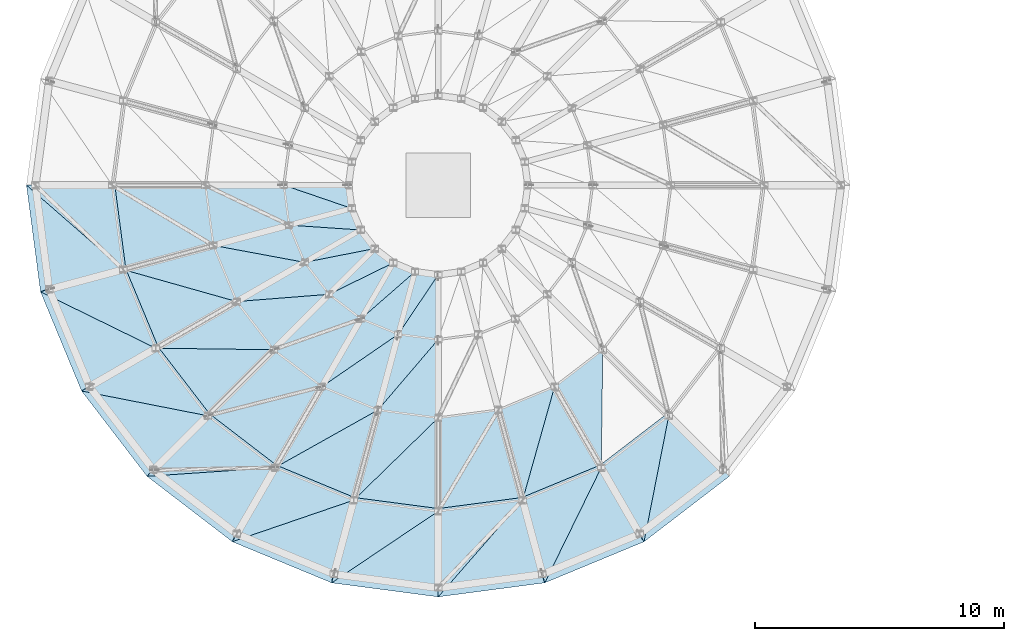
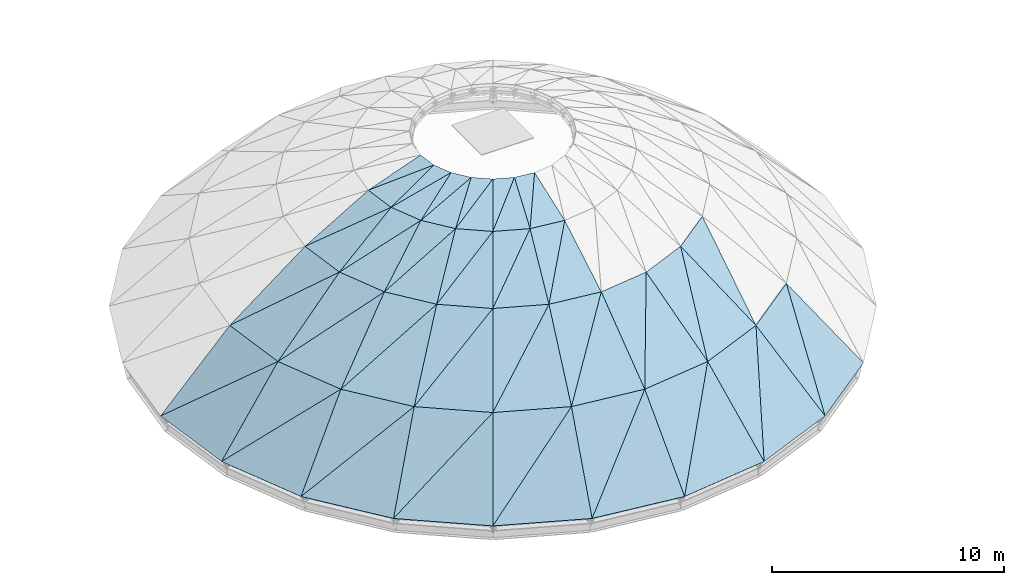
# One storey, part 10 of 19: 59 slabs.
"""IFC4 building model written with IfcOpenShell, lengths in metres."""

from ifc_helpers import new_model, si_unit, direction, frame, origin, place, context, subcontext, project, spatial, polyline, outline, extrude, material, layer, layer_set, type_object, element, save


model = new_model("IFC4")

# Units and contexts
model_context = context("Model", 3, precision=1e-05, world=origin(), true_north=direction((0.0, 1.0)))
body_context = subcontext(model_context, "Body", "Model", "MODEL_VIEW")
ifc_project = project(units=[si_unit("LENGTHUNIT", "METRE"), si_unit("AREAUNIT", "SQUARE_METRE"), si_unit("VOLUMEUNIT", "CUBIC_METRE"), si_unit("PLANEANGLEUNIT", "RADIAN"), si_unit("MASSUNIT", "GRAM", prefix="KILO")], contexts=[model_context])

# Site, building, storey
site_placement = place(None, origin())
site = spatial("IfcSite", under=ifc_project, at=site_placement, CompositionType="ELEMENT")
building_placement = place(site_placement, origin())
building = spatial("IfcBuilding", under=site, at=building_placement, Name="Montecoro Central Library", CompositionType="ELEMENT")
storey_placement = place(building_placement, frame((0.0, 0.0, 25.5)))
storey = spatial("IfcBuildingStorey", under=building, at=storey_placement, Name="ROOF", CompositionType="ELEMENT", Elevation=25.5)

# Slabs
ifc_material = material(Name="Concrete C32/40", Category="concrete")
ifc_layer = layer(ifc_material, 0.14990234375)
ifc_layer_set = layer_set([ifc_layer], Name="Concrete C32/40")
slab_type = type_object("IfcSlabType", Name="SL-DOME-150", PredefinedType="ROOF", material=ifc_layer_set)
slab_1_placement = place(storey_placement, frame((75.06005859375, 35.39990234375, -7.77001953125), z_axis=(-0.715994417738, -0.094322617906, 0.691704588332), x_axis=(0.130608081992, -0.99143407694, 0.0)))
element("IfcSlab", 1, at=slab_1_placement, inside=storey, type_object=slab_type, Name="V1-DOME-GORE-S1-13A", PredefinedType="ROOF", context=body_context, shape_type="SweptSolid", body=[
    extrude(outline(polyline([(0.0, 0.0), (4.317993459118372, 0.0), (3.8693644374247125, 4.929596262630795), (0.0, 0.0)])), origin(), (0.0, 0.0, -1.0), 0.14990234375),
])
slab_2_placement = place(storey_placement, frame((75.06005859375, 35.39990234375, -7.77001953125), z_axis=(-0.715938390418, -0.094176646216, 0.691782466122), x_axis=(0.620090074549, -0.541083812616, 0.568081514548)))
element("IfcSlab", 2, at=slab_2_placement, inside=storey, type_object=slab_type, Name="V1-DOME-GORE-S1-13B", PredefinedType="ROOF", context=body_context, shape_type="SweptSolid", body=[
    extrude(outline(polyline([(0.0, 0.0), (6.26680943241061, -2.220446049250313e-16), (4.155477000862716, 2.690580785753787), (0.0, 0.0)])), origin(), (0.0, 0.0, -1.0), 0.14990234375),
])
slab_3_placement = place(storey_placement, frame((75.6240234375, 31.118896484375, -7.77001953125), z_axis=(-0.667171515281, -0.276276545223, 0.691775570368), x_axis=(0.382594844115, -0.92391622199, 0.0)))
element("IfcSlab", 3, at=slab_3_placement, inside=storey, type_object=slab_type, Name="V1-DOME-GORE-S1-14A", PredefinedType="ROOF", context=body_context, shape_type="SweptSolid", body=[
    extrude(outline(polyline([(0.0, 0.0), (4.317505826752867, 0.0), (3.8679229624318126, 4.930060427738457), (0.0, 0.0)])), origin(), (0.0, 0.0, -1.0), 0.14990234375),
])
slab_4_placement = place(storey_placement, frame((75.6240234375, 31.118896484375, -7.77001953125), z_axis=(-0.667188175042, -0.276435258242, 0.691696094455), x_axis=(0.739011966619, -0.362064435143, 0.568129085683)))
element("IfcSlab", 4, at=slab_4_placement, inside=storey, type_object=slab_type, Name="V1-DOME-GORE-S1-14B", PredefinedType="ROOF", context=body_context, shape_type="SweptSolid", body=[
    extrude(outline(polyline([(0.0, 0.0), (6.266284693856479, 0.0), (4.155299615888781, 2.689920521845184), (0.0, 0.0)])), origin(), (0.0, 0.0, -1.0), 0.14990234375),
])
slab_5_placement = place(storey_placement, frame((77.27587890625, 27.1298828125, -7.77001953125), z_axis=(-0.572883227212, -0.439501706167, 0.691840341593), x_axis=(0.608685540582, -0.793411565763, 0.0)))
element("IfcSlab", 5, at=slab_5_placement, inside=storey, type_object=slab_type, Name="V1-DOME-GORE-S1-15A", PredefinedType="ROOF", context=body_context, shape_type="SweptSolid", body=[
    extrude(outline(polyline([(0.0, 0.0), (4.317785872839548, 0.0), (3.8683730698769403, 4.9304841351776805), (0.0, 0.0)])), origin(), (0.0, 0.0, -1.0), 0.14990234375),
])
slab_6_placement = place(storey_placement, frame((77.27587890625, 27.1298828125, -7.77001953125), z_axis=(-0.572865865957, -0.439611275522, 0.691785101065), x_axis=(0.807582453947, -0.15843887314, 0.568073677928)))
element("IfcSlab", 6, at=slab_6_placement, inside=storey, type_object=slab_type, Name="V1-DOME-GORE-S1-15B", PredefinedType="ROOF", context=body_context, shape_type="SweptSolid", body=[
    extrude(outline(polyline([(0.0, 0.0), (6.266895883528619, 0.0), (4.155617962515519, 2.690438611576594), (0.0, 0.0)])), origin(), (0.0, 0.0, -1.0), 0.14990234375),
])
slab_7_placement = place(storey_placement, frame((79.904052734375, 23.7041015625, -7.77001953125), z_axis=(-0.439518679839, -0.572946180602, 0.691777423891), x_axis=(0.793432513432, -0.608658234668, 0.0)))
element("IfcSlab", 7, at=slab_7_placement, inside=storey, type_object=slab_type, Name="V1-DOME-GORE-S1-16A", PredefinedType="ROOF", context=body_context, shape_type="SweptSolid", body=[
    extrude(outline(polyline([(0.0, 0.0), (4.317979579392242, 0.0), (3.8694649987550642, 4.930072550678149), (0.0, 0.0)])), origin(), (0.0, 0.0, -1.0), 0.14990234375),
])
slab_8_placement = place(storey_placement, frame((79.904052734375, 23.7041015625, -7.77001953125), z_axis=(-0.439575314047, -0.57281900387, 0.69184675477), x_axis=(0.821093657824, 0.055978346441, 0.568041926103)))
element("IfcSlab", 8, at=slab_8_placement, inside=storey, type_object=slab_type, Name="V1-DOME-GORE-S1-16B", PredefinedType="ROOF", context=body_context, shape_type="SweptSolid", body=[
    extrude(outline(polyline([(0.0, 0.0), (6.2672461840541, -4.440892098500626e-16), (4.156057101791433, 2.690508323970491), (0.0, 0.0)])), origin(), (0.0, 0.0, -1.0), 0.14990234375),
])
slab_9_placement = place(storey_placement, frame((83.330078125, 21.075927734375, -7.77001953125), z_axis=(-0.276305912795, -0.667242434106, 0.691695436361), x_axis=(0.92391622199, -0.382594844115, 0.0)))
element("IfcSlab", 9, at=slab_9_placement, inside=storey, type_object=slab_type, Name="V1-DOME-GORE-S1-17A", PredefinedType="ROOF", context=body_context, shape_type="SweptSolid", body=[
    extrude(outline(polyline([(0.0, 0.0), (4.317505826752867, 2.220446049250313e-16), (3.868703723551898, 4.929536429153015), (0.0, 0.0)])), origin(), (0.0, 0.0, -1.0), 0.14990234375),
])
slab_10_placement = place(storey_placement, frame((83.330078125, 21.075927734375, -7.77001953125), z_axis=(-0.276406358512, -0.667118424321, 0.691774914915), x_axis=(0.778587662171, 0.266529133152, 0.568122762699)))
element("IfcSlab", 10, at=slab_10_placement, inside=storey, type_object=slab_type, Name="V1-DOME-GORE-S1-17B", PredefinedType="ROOF", context=body_context, shape_type="SweptSolid", body=[
    extrude(outline(polyline([(0.0, 0.0), (6.266354435153742, 4.440892098500626e-16), (4.15568962118892, 2.690171826545099), (0.0, 0.0)])), origin(), (0.0, 0.0, -1.0), 0.14990234375),
])
slab_11_placement = place(storey_placement, frame((87.319091796875, 19.424072265625, -7.77001953125), z_axis=(-0.094314005175, -0.715929039282, 0.691773430496), x_axis=(0.99143407694, -0.130608081992, 0.0)))
element("IfcSlab", 11, at=slab_11_placement, inside=storey, type_object=slab_type, Name="V1-DOME-GORE-S1-18A", PredefinedType="ROOF", context=body_context, shape_type="SweptSolid", body=[
    extrude(outline(polyline([(0.0, 0.0), (4.317993459118372, 5.551115123125783e-17), (3.86870930988276, 4.930046432094945), (0.0, 0.0)])), origin(), (0.0, 0.0, -1.0), 0.14990234375),
])
slab_12_placement = place(storey_placement, frame((87.319091796875, 19.424072265625, -7.77001953125), z_axis=(-0.094181314832, -0.716025431315, 0.691691738888), x_axis=(0.683129157337, 0.458925661444, 0.568086077689)))
element("IfcSlab", 12, at=slab_12_placement, inside=storey, type_object=slab_type, Name="V1-DOME-GORE-S1-18B", PredefinedType="ROOF", context=body_context, shape_type="SweptSolid", body=[
    extrude(outline(polyline([(0.0, 0.0), (6.266759094379298, 0.0), (4.154892196931274, 2.690469023435111), (0.0, 0.0)])), origin(), (0.0, 0.0, -1.0), 0.14990234375),
])
slab_13_placement = place(storey_placement, frame((91.60009765625, 18.860107421875, -7.77001953125), z_axis=(0.094322617906, -0.715994417738, 0.691704588332), x_axis=(0.99143407694, 0.130608081992, 0.0)))
element("IfcSlab", 13, at=slab_13_placement, inside=storey, type_object=slab_type, Name="V1-DOME-GORE-S1-19A", PredefinedType="ROOF", context=body_context, shape_type="SweptSolid", body=[
    extrude(outline(polyline([(0.0, 0.0), (4.317993459118372, 0.0), (3.8693644374247125, 4.929596262630795), (0.0, 0.0)])), origin(), (0.0, 0.0, -1.0), 0.14990234375),
])
slab_14_placement = place(storey_placement, frame((91.60009765625, 18.860107421875, -7.77001953125), z_axis=(0.094176646216, -0.715938390418, 0.691782466122), x_axis=(0.541083812616, 0.620090074549, 0.568081514548)))
element("IfcSlab", 14, at=slab_14_placement, inside=storey, type_object=slab_type, Name="V1-DOME-GORE-S1-19B", PredefinedType="ROOF", context=body_context, shape_type="SweptSolid", body=[
    extrude(outline(polyline([(0.0, 0.0), (6.26680943241061, -2.220446049250313e-16), (4.155477000862716, 2.690580785753787), (0.0, 0.0)])), origin(), (0.0, 0.0, -1.0), 0.14990234375),
])
slab_15_placement = place(storey_placement, frame((95.881103515625, 19.424072265625, -7.77001953125), z_axis=(0.276276545223, -0.667171515281, 0.691775570368), x_axis=(0.92391622199, 0.382594844115, 0.0)))
element("IfcSlab", 15, at=slab_15_placement, inside=storey, type_object=slab_type, Name="V1-DOME-GORE-S1-20A", PredefinedType="ROOF", context=body_context, shape_type="SweptSolid", body=[
    extrude(outline(polyline([(0.0, 0.0), (4.317505826752867, 0.0), (3.8679229624318126, 4.930060427738457), (0.0, 0.0)])), origin(), (0.0, 0.0, -1.0), 0.14990234375),
])
slab_16_placement = place(storey_placement, frame((95.881103515625, 19.424072265625, -7.77001953125), z_axis=(0.276435258242, -0.667188175042, 0.691696094455), x_axis=(0.362064435143, 0.739011966619, 0.568129085683)))
element("IfcSlab", 16, at=slab_16_placement, inside=storey, type_object=slab_type, Name="V1-DOME-GORE-S1-20B", PredefinedType="ROOF", context=body_context, shape_type="SweptSolid", body=[
    extrude(outline(polyline([(0.0, 0.0), (6.266284693856479, 0.0), (4.155299615888781, 2.689920521845184), (0.0, 0.0)])), origin(), (0.0, 0.0, -1.0), 0.14990234375),
])
slab_17_placement = place(storey_placement, frame((99.8701171875, 21.075927734375, -7.77001953125), z_axis=(0.439501706167, -0.572883227212, 0.691840341593), x_axis=(0.793411565763, 0.608685540582, 0.0)))
element("IfcSlab", 17, at=slab_17_placement, inside=storey, type_object=slab_type, Name="V1-DOME-GORE-S1-21A", PredefinedType="ROOF", context=body_context, shape_type="SweptSolid", body=[
    extrude(outline(polyline([(0.0, 0.0), (4.317785872839548, 0.0), (3.8683730698769403, 4.9304841351776805), (0.0, 0.0)])), origin(), (0.0, 0.0, -1.0), 0.14990234375),
])
slab_18_placement = place(storey_placement, frame((99.8701171875, 21.075927734375, -7.77001953125), z_axis=(0.439611275522, -0.572865865957, 0.691785101065), x_axis=(0.15843887314, 0.807582453947, 0.568073677928)))
element("IfcSlab", 18, at=slab_18_placement, inside=storey, type_object=slab_type, Name="V1-DOME-GORE-S1-21B", PredefinedType="ROOF", context=body_context, shape_type="SweptSolid", body=[
    extrude(outline(polyline([(0.0, 0.0), (6.266895883528619, 0.0), (4.155617962515519, 2.690438611576594), (0.0, 0.0)])), origin(), (0.0, 0.0, -1.0), 0.14990234375),
])
slab_19_placement = place(storey_placement, frame((78.5, 35.39990234375, -4.2099609375), z_axis=(-0.603078296932, -0.079330696846, 0.79372741436), x_axis=(0.130419427678, -0.991458911344, 0.0)))
element("IfcSlab", 19, at=slab_19_placement, inside=storey, type_object=slab_type, Name="V1-DOME-GORE-S2-13A", PredefinedType="ROOF", context=body_context, shape_type="SweptSolid", body=[
    extrude(outline(polyline([(0.0, 0.0), (3.420080350104863, 0.0), (2.9299417310452838, 4.685150632124699), (0.0, 0.0)])), origin(), (0.0, 0.0, -1.0), 0.14990234375),
])
slab_20_placement = place(storey_placement, frame((78.5, 35.39990234375, -4.2099609375), z_axis=(-0.603146941309, -0.07953117961, 0.793655188769), x_axis=(0.736371783295, -0.437926268436, 0.515729754989)))
element("IfcSlab", 20, at=slab_20_placement, inside=storey, type_object=slab_type, Name="V1-DOME-GORE-S2-13B", PredefinedType="ROOF", context=body_context, shape_type="SweptSolid", body=[
    extrude(outline(polyline([(0.0, 0.0), (5.5258659948481474, -2.220446049250313e-16), (4.23114844272367, 2.06919015949652), (0.0, 0.0)])), origin(), (0.0, 0.0, -1.0), 0.14990234375),
])
slab_21_placement = place(storey_placement, frame((78.946044921875, 32.009033203125, -4.2099609375), z_axis=(-0.561981871729, -0.232845259629, 0.793699855686), x_axis=(0.382774280043, -0.923841896938, 0.0)))
element("IfcSlab", 21, at=slab_21_placement, inside=storey, type_object=slab_type, Name="V1-DOME-GORE-S2-14A", PredefinedType="ROOF", context=body_context, shape_type="SweptSolid", body=[
    extrude(outline(polyline([(0.0, 0.0), (3.4193464892061107, 1.1102230246251565e-16), (2.9304117365736966, 4.684873677100132), (0.0, 0.0)])), origin(), (0.0, 0.0, -1.0), 0.14990234375),
])
slab_22_placement = place(storey_placement, frame((78.946044921875, 32.009033203125, -4.2099609375), z_axis=(-0.561974443949, -0.232736276322, 0.793737078655), x_axis=(0.82464411582, -0.232349499336, 0.515728409535)))
element("IfcSlab", 22, at=slab_22_placement, inside=storey, type_object=slab_type, Name="V1-DOME-GORE-S2-14B", PredefinedType="ROOF", context=body_context, shape_type="SweptSolid", body=[
    extrude(outline(polyline([(0.0, 0.0), (5.525880410960283, 2.220446049250313e-16), (4.2318755967815305, 2.0693238617860352), (0.0, 0.0)])), origin(), (0.0, 0.0, -1.0), 0.14990234375),
])
slab_23_placement = place(storey_placement, frame((80.2548828125, 28.85009765625, -4.2099609375), z_axis=(-0.48257483054, -0.370322879047, 0.793714368135), x_axis=(0.608792664465, -0.793329371506, 0.0)))
element("IfcSlab", 23, at=slab_23_placement, inside=storey, type_object=slab_type, Name="V1-DOME-GORE-S2-15A", PredefinedType="ROOF", context=body_context, shape_type="SweptSolid", body=[
    extrude(outline(polyline([(0.0, 0.0), (3.4199348506104013, 2.220446049250313e-16), (2.9305251219527, 4.685019514805613), (0.0, 0.0)])), origin(), (0.0, 0.0, -1.0), 0.14990234375),
])
slab_24_placement = place(storey_placement, frame((80.2548828125, 28.85009765625, -4.2099609375), z_axis=(-0.482558218012, -0.370407550194, 0.793684958273), x_axis=(0.856691255003, -0.011044959711, 0.515711258813)))
element("IfcSlab", 24, at=slab_24_placement, inside=storey, type_object=slab_type, Name="V1-DOME-GORE-S2-15B", PredefinedType="ROOF", context=body_context, shape_type="SweptSolid", body=[
    extrude(outline(polyline([(0.0, 0.0), (5.52606418208342, 1.1102230246251565e-16), (4.231565598170327, 2.0690459519060553), (0.0, 0.0)])), origin(), (0.0, 0.0, -1.0), 0.14990234375),
])
slab_25_placement = place(storey_placement, frame((82.3369140625, 26.136962890625, -4.2099609375), z_axis=(-0.370342333191, -0.482600181607, 0.793689877067), x_axis=(0.793329371506, -0.608792664465, 0.0)))
element("IfcSlab", 25, at=slab_25_placement, inside=storey, type_object=slab_type, Name="V1-DOME-GORE-S2-16A", PredefinedType="ROOF", context=body_context, shape_type="SweptSolid", body=[
    extrude(outline(polyline([(0.0, 0.0), (3.4199348506104013, 2.220446049250313e-16), (2.930040310844845, 4.684773409955421), (0.0, 0.0)])), origin(), (0.0, 0.0, -1.0), 0.14990234375),
])
slab_26_placement = place(storey_placement, frame((82.3369140625, 26.136962890625, -4.2099609375), z_axis=(-0.370380285552, -0.482522698279, 0.793719276394), x_axis=(0.830341693306, 0.211020695324, 0.515754727077)))
element("IfcSlab", 26, at=slab_26_placement, inside=storey, type_object=slab_type, Name="V1-DOME-GORE-S2-16B", PredefinedType="ROOF", context=body_context, shape_type="SweptSolid", body=[
    extrude(outline(polyline([(0.0, 0.0), (5.525598440513126, 1.1102230246251565e-16), (4.231622206265569, 2.06937266823894), (0.0, 0.0)])), origin(), (0.0, 0.0, -1.0), 0.14990234375),
])
slab_27_placement = place(storey_placement, frame((85.050048828125, 24.054931640625, -4.2099609375), z_axis=(-0.232838670769, -0.561965969236, 0.793713048157), x_axis=(0.923841896938, -0.382774280043, 0.0)))
element("IfcSlab", 27, at=slab_27_placement, inside=storey, type_object=slab_type, Name="V1-DOME-GORE-S2-17A", PredefinedType="ROOF", context=body_context, shape_type="SweptSolid", body=[
    extrude(outline(polyline([(0.0, 0.0), (3.4193464892061107, 0.0), (2.9296325445175917, 4.685006249485417), (0.0, 0.0)])), origin(), (0.0, 0.0, -1.0), 0.14990234375),
])
slab_28_placement = place(storey_placement, frame((85.050048828125, 24.054931640625, -4.2099609375), z_axis=(-0.232808119852, -0.562000991886, 0.793697212072), x_axis=(0.747411688634, 0.418773231548, 0.515756481522)))
element("IfcSlab", 28, at=slab_28_placement, inside=storey, type_object=slab_type, Name="V1-DOME-GORE-S2-17B", PredefinedType="ROOF", context=body_context, shape_type="SweptSolid", body=[
    extrude(outline(polyline([(0.0, 0.0), (5.525579644129116, 2.220446049250313e-16), (4.231422424324644, 2.0693387421202933), (0.0, 0.0)])), origin(), (0.0, 0.0, -1.0), 0.14990234375),
])
slab_29_placement = place(storey_placement, frame((88.208984375, 22.74609375, -4.2099609375), z_axis=(-0.079335257032, -0.603156387617, 0.79366761876), x_axis=(0.99146012541, -0.130410197921, 0.0)))
element("IfcSlab", 29, at=slab_29_placement, inside=storey, type_object=slab_type, Name="V1-DOME-GORE-S2-18A", PredefinedType="ROOF", context=body_context, shape_type="SweptSolid", body=[
    extrude(outline(polyline([(0.0, 0.0), (3.420322405651347, 0.0), (2.9312841634471836, 4.684549781802093), (0.0, 0.0)])), origin(), (0.0, 0.0, -1.0), 0.14990234375),
])
slab_30_placement = place(storey_placement, frame((88.208984375, 22.74609375, -4.2099609375), z_axis=(-0.079453120422, -0.60307716902, 0.793716025958), x_axis=(0.613657477628, 0.597885287598, 0.515710852149)))
element("IfcSlab", 30, at=slab_30_placement, inside=storey, type_object=slab_type, Name="V1-DOME-GORE-S2-18B", PredefinedType="ROOF", context=body_context, shape_type="SweptSolid", body=[
    extrude(outline(polyline([(0.0, 0.0), (5.526068539663464, -1.1102230246251565e-16), (4.231549889730823, 2.0695624745483956), (0.0, 0.0)])), origin(), (0.0, 0.0, -1.0), 0.14990234375),
])
slab_31_placement = place(storey_placement, frame((91.60009765625, 22.300048828125, -4.2099609375), z_axis=(0.079333950089, -0.603103028342, 0.79370829753), x_axis=(0.991458911344, 0.130419427678, 0.0)))
element("IfcSlab", 31, at=slab_31_placement, inside=storey, type_object=slab_type, Name="V1-DOME-GORE-S2-19A", PredefinedType="ROOF", context=body_context, shape_type="SweptSolid", body=[
    extrude(outline(polyline([(0.0, 0.0), (3.420080350104863, 0.0), (2.9299098903646983, 4.684958508432912), (0.0, 0.0)])), origin(), (0.0, 0.0, -1.0), 0.14990234375),
])
slab_32_placement = place(storey_placement, frame((91.60009765625, 22.300048828125, -4.2099609375), z_axis=(0.079470713885, -0.603149859134, 0.793659028211), x_axis=(0.437940516177, 0.73635155797, 0.515746534032)))
element("IfcSlab", 32, at=slab_32_placement, inside=storey, type_object=slab_type, Name="V1-DOME-GORE-S2-19B", PredefinedType="ROOF", context=body_context, shape_type="SweptSolid", body=[
    extrude(outline(polyline([(0.0, 0.0), (5.525686219049613, -2.220446049250313e-16), (4.231120415570553, 2.069247469362292), (0.0, 0.0)])), origin(), (0.0, 0.0, -1.0), 0.14990234375),
])
slab_33_placement = place(storey_placement, frame((94.990966796875, 22.74609375, -4.2099609375), z_axis=(0.232845259629, -0.561981871729, 0.793699855686), x_axis=(0.923841896938, 0.382774280043, 0.0)))
element("IfcSlab", 33, at=slab_33_placement, inside=storey, type_object=slab_type, Name="V1-DOME-GORE-S2-20A", PredefinedType="ROOF", context=body_context, shape_type="SweptSolid", body=[
    extrude(outline(polyline([(0.0, 0.0), (3.4193464892061107, 1.1102230246251565e-16), (2.9304117365736966, 4.684873677100132), (0.0, 0.0)])), origin(), (0.0, 0.0, -1.0), 0.14990234375),
])
slab_34_placement = place(storey_placement, frame((94.990966796875, 22.74609375, -4.2099609375), z_axis=(0.232798890576, -0.561978712325, 0.793715694339), x_axis=(0.232349499336, 0.82464411582, 0.515728409535)))
element("IfcSlab", 34, at=slab_34_placement, inside=storey, type_object=slab_type, Name="V1-DOME-GORE-S2-20B", PredefinedType="ROOF", context=body_context, shape_type="SweptSolid", body=[
    extrude(outline(polyline([(0.0, 0.0), (5.525880410960283, -1.1102230246251565e-16), (4.231674267651691, 2.069308144727202), (0.0, 0.0)])), origin(), (0.0, 0.0, -1.0), 0.14990234375),
])
slab_35_placement = place(storey_placement, frame((98.14990234375, 24.054931640625, -4.2099609375), z_axis=(0.370407550194, -0.482558218012, 0.793684958273), x_axis=(0.011044959711, 0.856691255003, 0.515711258813)))
element("IfcSlab", 35, at=slab_35_placement, inside=storey, type_object=slab_type, Name="V1-DOME-GORE-S2-21B", PredefinedType="ROOF", context=body_context, shape_type="SweptSolid", body=[
    extrude(outline(polyline([(0.0, 0.0), (5.52606418208342, 1.1102230246251565e-16), (4.231565598170327, 2.0690459519060553), (0.0, 0.0)])), origin(), (0.0, 0.0, -1.0), 0.14990234375),
])
slab_36_placement = place(storey_placement, frame((82.25, 35.39990234375, -1.360107421875), z_axis=(-0.505381488904, -0.066639790758, 0.860318946067), x_axis=(0.13072876807, -0.991418170702, 0.0)))
element("IfcSlab", 36, at=slab_36_placement, inside=storey, type_object=slab_type, Name="V1-DOME-GORE-S3-13A", PredefinedType="ROOF", context=body_context, shape_type="SweptSolid", body=[
    extrude(outline(polyline([(0.0, 0.0), (2.440868996061942, -5.551115123125783e-17), (2.0305971689978004, 3.6293779535908017), (0.0, 0.0)])), origin(), (0.0, 0.0, -1.0), 0.14990234375),
])
slab_37_placement = place(storey_placement, frame((82.25, 35.39990234375, -1.360107421875), z_axis=(-0.505332631392, -0.066491135709, 0.860359146242), x_axis=(0.808183867746, -0.385922913239, 0.444862159496)))
element("IfcSlab", 37, at=slab_37_placement, inside=storey, type_object=slab_type, Name="V1-DOME-GORE-S3-13B", PredefinedType="ROOF", context=body_context, shape_type="SweptSolid", body=[
    extrude(outline(polyline([(0.0, 0.0), (4.158811031142536, 1.1102230246251565e-16), (3.368738697833126, 1.4129209809982517), (0.0, 0.0)])), origin(), (0.0, 0.0, -1.0), 0.14990234375),
])
slab_38_placement = place(storey_placement, frame((82.569091796875, 32.97998046875, -1.360107421875), z_axis=(-0.470895345325, -0.195016749228, 0.860363900493), x_axis=(0.382625672996, -0.92390345511, 0.0)))
element("IfcSlab", 38, at=slab_38_placement, inside=storey, type_object=slab_type, Name="V1-DOME-GORE-S3-14A", PredefinedType="ROOF", context=body_context, shape_type="SweptSolid", body=[
    extrude(outline(polyline([(0.0, 0.0), (2.440604372706658, 1.1102230246251565e-16), (2.029314841737069, 3.629918269247212), (0.0, 0.0)])), origin(), (0.0, 0.0, -1.0), 0.14990234375),
])
slab_39_placement = place(storey_placement, frame((82.569091796875, 32.97998046875, -1.360107421875), z_axis=(-0.470909454952, -0.195270146353, 0.860298701138), x_axis=(0.880540404657, -0.163497901658, 0.444878671011)))
element("IfcSlab", 39, at=slab_39_placement, inside=storey, type_object=slab_type, Name="V1-DOME-GORE-S3-14B", PredefinedType="ROOF", context=body_context, shape_type="SweptSolid", body=[
    extrude(outline(polyline([(0.0, 0.0), (4.158656678340858, -2.220446049250313e-16), (3.3684248084004462, 1.412239927294906), (0.0, 0.0)])), origin(), (0.0, 0.0, -1.0), 0.14990234375),
])
slab_40_placement = place(storey_placement, frame((83.5029296875, 30.72509765625, -1.360107421875), z_axis=(-0.404343365285, -0.310370499936, 0.860335164758), x_axis=(0.608893448778, -0.793252020505, 0.0)))
element("IfcSlab", 40, at=slab_40_placement, inside=storey, type_object=slab_type, Name="V1-DOME-GORE-S3-15A", PredefinedType="ROOF", context=body_context, shape_type="SweptSolid", body=[
    extrude(outline(polyline([(0.0, 0.0), (2.440630601883832, 2.220446049250313e-16), (2.0300547006904623, 3.6295728580031925), (0.0, 0.0)])), origin(), (0.0, 0.0, -1.0), 0.14990234375),
])
slab_41_placement = place(storey_placement, frame((83.5029296875, 30.72509765625, -1.360107421875), z_axis=(-0.404367796102, -0.310253671282, 0.860365820411), x_axis=(0.892855992703, 0.069977272885, 0.444872293557)))
element("IfcSlab", 41, at=slab_41_placement, inside=storey, type_object=slab_type, Name="V1-DOME-GORE-S3-15B", PredefinedType="ROOF", context=body_context, shape_type="SweptSolid", body=[
    extrude(outline(polyline([(0.0, 0.0), (4.1587162946453695, 0.0), (3.3690035376981466, 1.4125441170728907), (0.0, 0.0)])), origin(), (0.0, 0.0, -1.0), 0.14990234375),
])
slab_42_placement = place(storey_placement, frame((84.989013671875, 28.7890625, -1.360107421875), z_axis=(-0.310345378641, -0.404310637855, 0.860359607416), x_axis=(0.793252020505, -0.608893448778, 0.0)))
element("IfcSlab", 42, at=slab_42_placement, inside=storey, type_object=slab_type, Name="V1-DOME-GORE-S3-16A", PredefinedType="ROOF", context=body_context, shape_type="SweptSolid", body=[
    extrude(outline(polyline([(0.0, 0.0), (2.440630601883832, 0.0), (2.028885823472403, 3.629866658315534), (0.0, 0.0)])), origin(), (0.0, 0.0, -1.0), 0.14990234375),
])
slab_43_placement = place(storey_placement, frame((84.989013671875, 28.7890625, -1.360107421875), z_axis=(-0.31029154718, -0.404417161491, 0.860328957574), x_axis=(0.844311367584, 0.298658780815, 0.44490588579)))
element("IfcSlab", 43, at=slab_43_placement, inside=storey, type_object=slab_type, Name="V1-DOME-GORE-S3-16B", PredefinedType="ROOF", context=body_context, shape_type="SweptSolid", body=[
    extrude(outline(polyline([(0.0, 0.0), (4.158402294371971, 0.0), (3.3685718984893205, 1.41247834210025), (0.0, 0.0)])), origin(), (0.0, 0.0, -1.0), 0.14990234375),
])
slab_44_placement = place(storey_placement, frame((86.925048828125, 27.302978515625, -1.360107421875), z_axis=(-0.195091275601, -0.470952174974, 0.860315897256), x_axis=(0.923868089985, -0.382711055899, 0.0)))
element("IfcSlab", 44, at=slab_44_placement, inside=storey, type_object=slab_type, Name="V1-DOME-GORE-S3-17A", PredefinedType="ROOF", context=body_context, shape_type="SweptSolid", body=[
    extrude(outline(polyline([(0.0, 0.0), (2.4406977976005217, 0.0), (2.029617669660816, 3.6293413191266195), (0.0, 0.0)])), origin(), (0.0, 0.0, -1.0), 0.14990234375),
])
slab_45_placement = place(storey_placement, frame((86.925048828125, 27.302978515625, -1.360107421875), z_axis=(-0.195256319114, -0.470767597737, 0.860379473702), x_axis=(0.73829875236, 0.506916216929, 0.444916735219)))
element("IfcSlab", 45, at=slab_45_placement, inside=storey, type_object=slab_type, Name="V1-DOME-GORE-S3-17B", PredefinedType="ROOF", context=body_context, shape_type="SweptSolid", body=[
    extrude(outline(polyline([(0.0, 0.0), (4.158300890474274, -5.551115123125783e-17), (3.3688051950507973, 1.4130170832295763), (0.0, 0.0)])), origin(), (0.0, 0.0, -1.0), 0.14990234375),
])
slab_46_placement = place(storey_placement, frame((89.179931640625, 26.368896484375, -1.360107421875), z_axis=(-0.066575275461, -0.505329789926, 0.860354308475), x_axis=(0.991432836113, -0.130617500652, 0.0)))
element("IfcSlab", 46, at=slab_46_placement, inside=storey, type_object=slab_type, Name="V1-DOME-GORE-S3-18A", PredefinedType="ROOF", context=body_context, shape_type="SweptSolid", body=[
    extrude(outline(polyline([(0.0, 0.0), (2.441079140683953, 0.0), (2.029646769245283, 3.629802958365074), (0.0, 0.0)])), origin(), (0.0, 0.0, -1.0), 0.14990234375),
])
slab_47_placement = place(storey_placement, frame((89.179931640625, 26.368896484375, -1.360107421875), z_axis=(-0.066426671387, -0.505427011227, 0.860308685095), x_axis=(0.581950016126, 0.680751779178, 0.444872109574)))
element("IfcSlab", 47, at=slab_47_placement, inside=storey, type_object=slab_type, Name="V1-DOME-GORE-S3-18B", PredefinedType="ROOF", context=body_context, shape_type="SweptSolid", body=[
    extrude(outline(polyline([(0.0, 0.0), (4.158718014540498, 3.885780586188048e-16), (3.3682956832901056, 1.4126887386243006), (0.0, 0.0)])), origin(), (0.0, 0.0, -1.0), 0.14990234375),
])
slab_48_placement = place(storey_placement, frame((85.39990234375, 35.39990234375, 0.489990234375), z_axis=(-0.339580673986, -0.04468166763, 0.939515042154), x_axis=(0.130454512571, -0.991454295543, 0.0)))
element("IfcSlab", 48, at=slab_48_placement, inside=storey, type_object=slab_type, Name="V1-DOME-GORE-S4-13A", PredefinedType="ROOF", context=body_context, shape_type="SweptSolid", body=[
    extrude(outline(polyline([(0.0, 0.0), (1.6188143779958333, 0.0), (1.2791676463152208, 2.744293230375418), (0.0, 0.0)])), origin(), (0.0, 0.0, -1.0), 0.14990234375),
])
slab_49_placement = place(storey_placement, frame((85.39990234375, 35.39990234375, 0.489990234375), z_axis=(-0.339627911332, -0.044844764818, 0.939490196283), x_axis=(0.899388316293, -0.307778841966, 0.310439754145)))
element("IfcSlab", 49, at=slab_49_placement, inside=storey, type_object=slab_type, Name="V1-DOME-GORE-S4-13B", PredefinedType="ROOF", context=body_context, shape_type="SweptSolid", body=[
    extrude(outline(polyline([(0.0, 0.0), (3.027773968060359, 1.3877787807814457e-16), (2.630292632318978, 0.8517971223175589), (0.0, 0.0)])), origin(), (0.0, 0.0, -1.0), 0.14990234375),
])
slab_50_placement = place(storey_placement, frame((85.611083984375, 33.794921875, 0.489990234375), z_axis=(-0.316497362262, -0.131240699458, 0.939470754461), x_axis=(0.383040140799, -0.92373169835, 0.0)))
element("IfcSlab", 50, at=slab_50_placement, inside=storey, type_object=slab_type, Name="V1-DOME-GORE-S4-14A", PredefinedType="ROOF", context=body_context, shape_type="SweptSolid", body=[
    extrude(outline(polyline([(0.0, 0.0), (1.6182978775600747, -1.1102230246251565e-16), (1.2796159450528395, 2.7433204034909764), (0.0, 0.0)])), origin(), (0.0, 0.0, -1.0), 0.14990234375),
])
slab_51_placement = place(storey_placement, frame((85.611083984375, 33.794921875, 0.489990234375), z_axis=(-0.316489938367, -0.130869257215, 0.939525069611), x_axis=(0.948388535553, -0.064360409165, 0.310510745972)))
element("IfcSlab", 51, at=slab_51_placement, inside=storey, type_object=slab_type, Name="V1-DOME-GORE-S4-14B", PredefinedType="ROOF", context=body_context, shape_type="SweptSolid", body=[
    extrude(outline(polyline([(0.0, 0.0), (3.0270817304862065, -5.551115123125783e-17), (2.630857999567146, 0.8515230018849917), (0.0, 0.0)])), origin(), (0.0, 0.0, -1.0), 0.14990234375),
])
slab_52_placement = place(storey_placement, frame((86.23095703125, 32.300048828125, 0.489990234375), z_axis=(-0.271867908017, -0.208592319614, 0.9394557386), x_axis=(0.608726045846, -0.793380489493, 0.0)))
element("IfcSlab", 52, at=slab_52_placement, inside=storey, type_object=slab_type, Name="V1-DOME-GORE-S4-15A", PredefinedType="ROOF", context=body_context, shape_type="SweptSolid", body=[
    extrude(outline(polyline([(0.0, 0.0), (1.618309958309104, 1.1102230246251565e-16), (1.278935287465655, 2.7429908091167405), (0.0, 0.0)])), origin(), (0.0, 0.0, -1.0), 0.14990234375),
])
slab_53_placement = place(storey_placement, frame((86.23095703125, 32.300048828125, 0.489990234375), z_axis=(-0.271899890947, -0.208462514558, 0.939475294687), x_axis=(0.932761405159, 0.183035166333, 0.310570908057)))
element("IfcSlab", 53, at=slab_53_placement, inside=storey, type_object=slab_type, Name="V1-DOME-GORE-S4-15B", PredefinedType="ROOF", context=body_context, shape_type="SweptSolid", body=[
    extrude(outline(polyline([(0.0, 0.0), (3.0264953408891557, -8.326672684688674e-17), (2.6294971709734716, 0.8522070848445457), (0.0, 0.0)])), origin(), (0.0, 0.0, -1.0), 0.14990234375),
])
slab_54_placement = place(storey_placement, frame((87.216064453125, 31.01611328125, 0.489990234375), z_axis=(-0.208568316936, -0.271836624229, 0.93947012028), x_axis=(0.793380489493, -0.608726045846, 0.0)))
element("IfcSlab", 54, at=slab_54_placement, inside=storey, type_object=slab_type, Name="V1-DOME-GORE-S4-16A", PredefinedType="ROOF", context=body_context, shape_type="SweptSolid", body=[
    extrude(outline(polyline([(0.0, 0.0), (1.618309958309104, 0.0), (1.2795152717489247, 2.7433064808685375), (0.0, 0.0)])), origin(), (0.0, 0.0, -1.0), 0.14990234375),
])
slab_55_placement = place(storey_placement, frame((87.216064453125, 31.01611328125, 0.489990234375), z_axis=(-0.208503812296, -0.271953756029, 0.939450538794), x_axis=(0.853637827777, 0.418188977421, 0.310516405607)))
element("IfcSlab", 55, at=slab_55_placement, inside=storey, type_object=slab_type, Name="V1-DOME-GORE-S4-16B", PredefinedType="ROOF", context=body_context, shape_type="SweptSolid", body=[
    extrude(outline(polyline([(0.0, 0.0), (3.027026557302404, -5.551115123125783e-17), (2.6293457888478584, 0.8518887654952627), (0.0, 0.0)])), origin(), (0.0, 0.0, -1.0), 0.14990234375),
])
slab_56_placement = place(storey_placement, frame((88.5, 30.031005859375, 0.489990234375), z_axis=(-0.131219894448, -0.316374265196, 0.939515121551), x_axis=(0.923700456801, -0.383115473592, 0.0)))
element("IfcSlab", 56, at=slab_56_placement, inside=storey, type_object=slab_type, Name="V1-DOME-GORE-S4-17A", PredefinedType="ROOF", context=body_context, shape_type="SweptSolid", body=[
    extrude(outline(polyline([(0.0, 0.0), (1.618616919036379, 0.0), (1.2776648281395149, 2.7442949753838257), (0.0, 0.0)])), origin(), (0.0, 0.0, -1.0), 0.14990234375),
])
slab_57_placement = place(storey_placement, frame((88.5, 30.031005859375, 0.489990234375), z_axis=(-0.130941326415, -0.316664228167, 0.939456297885), x_axis=(0.716177008782, 0.625041871403, 0.3105046716)))
element("IfcSlab", 57, at=slab_57_placement, inside=storey, type_object=slab_type, Name="V1-DOME-GORE-S4-17B", PredefinedType="ROOF", context=body_context, shape_type="SweptSolid", body=[
    extrude(outline(polyline([(0.0, 0.0), (3.0271409489783743, 2.7755575615628914e-17), (2.62987588177704, 0.8510376807545993), (0.0, 0.0)])), origin(), (0.0, 0.0, -1.0), 0.14990234375),
])
slab_58_placement = place(storey_placement, frame((89.9951171875, 29.410888671875, 0.489990234375), z_axis=(-0.044636637255, -0.339631080229, 0.939498962191), x_axis=(0.991473791138, -0.13030626035, 0.0)))
element("IfcSlab", 58, at=slab_58_placement, inside=storey, type_object=slab_type, Name="V1-DOME-GORE-S4-18A", PredefinedType="ROOF", context=body_context, shape_type="SweptSolid", body=[
    extrude(outline(polyline([(0.0, 0.0), (1.618782546846617, 2.7755575615628914e-17), (1.2799735447149665, 2.7439398917058164), (0.0, 0.0)])), origin(), (0.0, 0.0, -1.0), 0.14990234375),
])
slab_59_placement = place(storey_placement, frame((89.9951171875, 29.410888671875, 0.489990234375), z_axis=(-0.044818892908, -0.339520899053, 0.939530109121), x_axis=(0.530082397483, 0.789076109183, 0.310437668133)))
element("IfcSlab", 59, at=slab_59_placement, inside=storey, type_object=slab_type, Name="V1-DOME-GORE-S4-18B", PredefinedType="ROOF", context=body_context, shape_type="SweptSolid", body=[
    extrude(outline(polyline([(0.0, 0.0), (3.02779431343424, 1.942890293094024e-16), (2.6307825374183054, 0.8522830991042591), (0.0, 0.0)])), origin(), (0.0, 0.0, -1.0), 0.14990234375),
])

save(model, "model.ifc")
